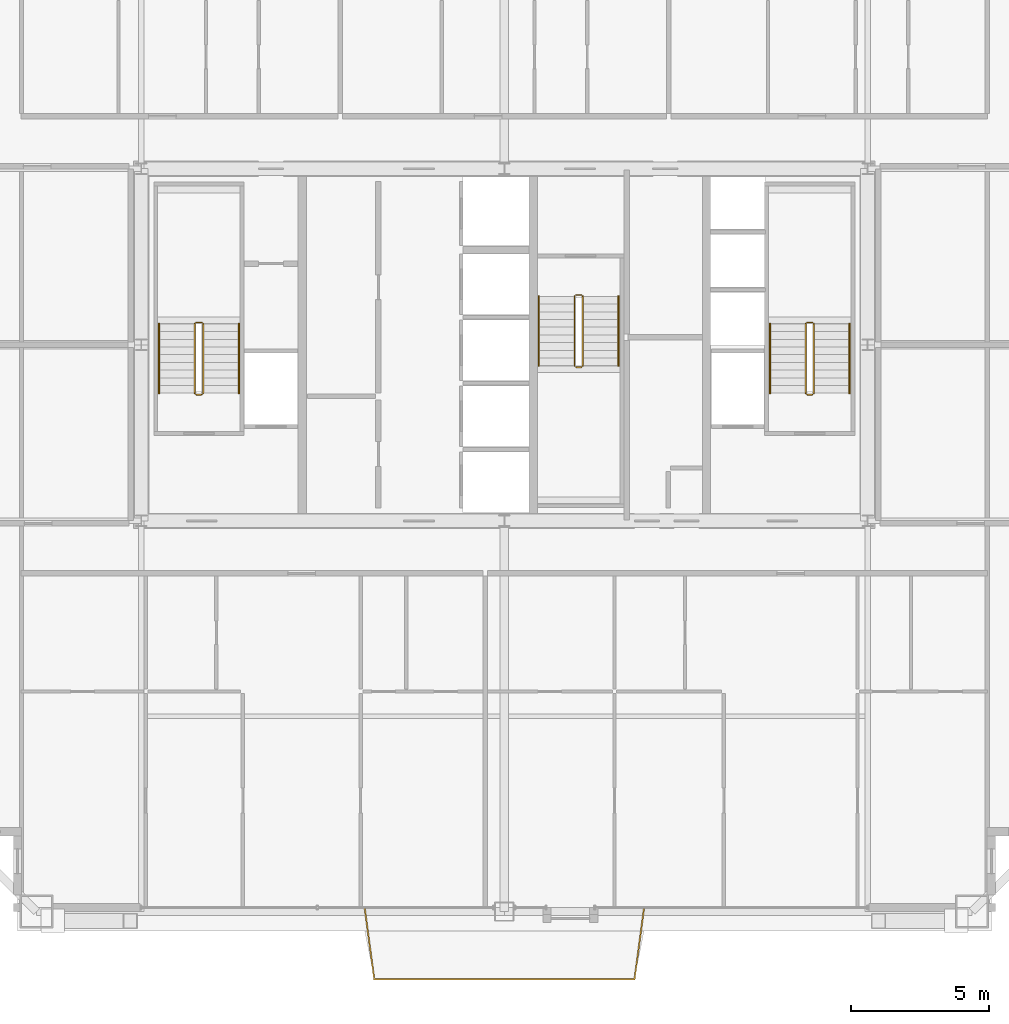
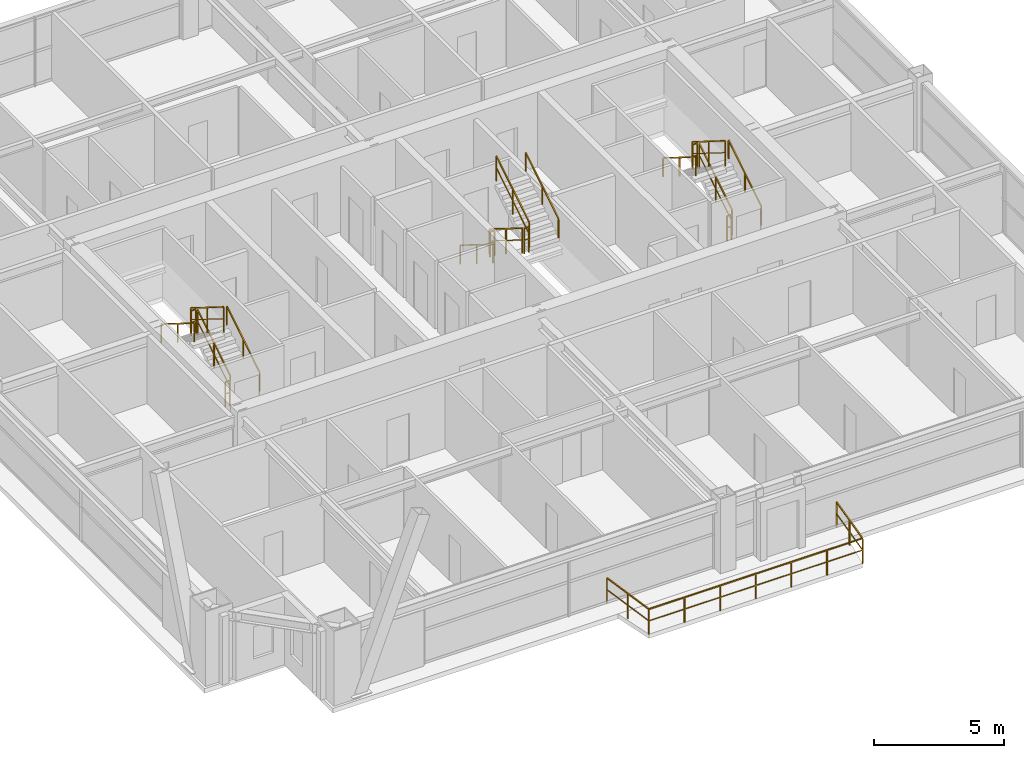
# One storey, part 36 of 36: 19 railings.
"""IFC4 building model written with IfcOpenShell, lengths in metres."""

from ifc_helpers import new_model, si_unit, direction, frame, origin, origin_2d, place, context, subcontext, project, spatial, rectangle, extrude, source, transform, mapped, material, layer, layer_set, type_object, element, save


model = new_model("IFC4")

# Units and contexts
model_context = context("Model", 3, precision=1e-05, world=origin(), true_north=direction((0.0, 1.0)))
body_context = subcontext(model_context, "Body", "Model", "MODEL_VIEW")
ifc_project = project(units=[si_unit("LENGTHUNIT", "METRE"), si_unit("AREAUNIT", "SQUARE_METRE"), si_unit("VOLUMEUNIT", "CUBIC_METRE"), si_unit("PLANEANGLEUNIT", "RADIAN"), si_unit("MASSUNIT", "GRAM", prefix="KILO"), si_unit("THERMODYNAMICTEMPERATUREUNIT", "KELVIN"), si_unit("POWERUNIT", "WATT")], contexts=[model_context])

# Site, building, storey
site_placement = place(None, origin())
site = spatial("IfcSite", under=ifc_project, at=site_placement, CompositionType="ELEMENT")
building_placement = place(site_placement, origin())
building = spatial("IfcBuilding", under=site, at=building_placement, Name="Yuzanri Waterfront Tower", CompositionType="ELEMENT")
storey_placement = place(building_placement, frame((0.0, 0.0, 255.60009765625)))
storey = spatial("IfcBuildingStorey", under=building, at=storey_placement, Name="L68", CompositionType="ELEMENT", Elevation=255.60009765625)

# Railings
ifc_material_1 = material(Name="Anodized Architectural Bronze", Category="metal")
ifc_layer_1 = layer(ifc_material_1, 0.080078125)
ifc_layer_set_1 = layer_set([ifc_layer_1], Name="Anodized Architectural Bronze")
railing_type_1 = type_object("IfcRailingType", Name="Laminated Glass and Bronze Balcony Guardrail 1200", PredefinedType="BALUSTRADE", material=ifc_layer_set_1)
shared_shape_1 = source(origin(), body_context, "Body", "SweptSolid", [
    extrude(rectangle(XDim=0.050048828125, YDim=0.050048828125, at=origin_2d()), frame((0.0, 0.0, 1.1748046875), z_axis=(0.132794534695, -0.991143587759, 0.0), x_axis=(0.991143587759, 0.132794534695, 0.0)), (0.0, 0.0, 1.0), 2.636474609375),
    extrude(rectangle(XDim=0.035888671875, YDim=0.030029296875, at=origin_2d()), frame((0.0, 0.0, 0.6240234375), z_axis=(0.132794534695, -0.991143587759, 0.0), x_axis=(0.991143587759, 0.132794534695, 0.0)), (0.0, 0.0, 1.0), 2.636474609375),
    extrude(rectangle(XDim=0.050048828125, YDim=0.050048828125, at=origin_2d()), frame((0.35009765625, -2.613037109375, 1.1748046875), z_axis=(1.0, 0.0, 0.0), x_axis=(0.0, 1.0, 0.0)), (0.0, 0.0, 1.0), 9.458984375),
    extrude(rectangle(XDim=0.035888671875, YDim=0.030029296875, at=origin_2d()), frame((0.35009765625, -2.613037109375, 0.6240234375), z_axis=(1.0, 0.0, 0.0), x_axis=(0.0, 1.0, 0.0)), (0.0, 0.0, 1.0), 9.458984375),
    extrude(rectangle(XDim=0.050048828125, YDim=0.050048828125, at=origin_2d()), frame((9.80908203125, -2.613037109375, 1.1748046875), z_axis=(0.132794534695, 0.991143587759, 0.0), x_axis=(-0.991143587759, 0.132794534695, 0.0)), (0.0, 0.0, 1.0), 2.636474609375),
    extrude(rectangle(XDim=0.035888671875, YDim=0.030029296875, at=origin_2d()), frame((9.80908203125, -2.613037109375, 0.6240234375), z_axis=(0.132794534695, 0.991143587759, 0.0), x_axis=(-0.991143587759, 0.132794534695, 0.0)), (0.0, 0.0, 1.0), 2.636474609375),
    extrude(rectangle(XDim=0.0458984375, YDim=0.0458984375, at=origin_2d()), origin(), (0.0, 0.0, 1.0), 1.14990234375),
    extrude(rectangle(XDim=0.0458984375, YDim=0.0458984375, at=origin_2d()), frame((0.175048828125, -1.306640625, 0.0)), (0.0, 0.0, 1.0), 1.14990234375),
    extrude(rectangle(XDim=0.0458984375, YDim=0.0458984375, at=origin_2d()), frame((0.35009765625, -2.613037109375, 0.0)), (0.0, 0.0, 1.0), 1.14990234375),
    extrude(rectangle(XDim=0.0458984375, YDim=0.0458984375, at=origin_2d()), frame((1.926513671875, -2.613037109375, 0.0)), (0.0, 0.0, 1.0), 1.14990234375),
    extrude(rectangle(XDim=0.0458984375, YDim=0.0458984375, at=origin_2d()), frame((3.503173828125, -2.613037109375, 0.0)), (0.0, 0.0, 1.0), 1.14990234375),
    extrude(rectangle(XDim=0.0458984375, YDim=0.0458984375, at=origin_2d()), frame((5.07958984375, -2.613037109375, 0.0)), (0.0, 0.0, 1.0), 1.14990234375),
    extrude(rectangle(XDim=0.0458984375, YDim=0.0458984375, at=origin_2d()), frame((6.656005859375, -2.613037109375, 0.0)), (0.0, 0.0, 1.0), 1.14990234375),
    extrude(rectangle(XDim=0.0458984375, YDim=0.0458984375, at=origin_2d()), frame((8.232666015625, -2.613037109375, 0.0)), (0.0, 0.0, 1.0), 1.14990234375),
    extrude(rectangle(XDim=0.0458984375, YDim=0.0458984375, at=origin_2d()), frame((9.80908203125, -2.613037109375, 0.0)), (0.0, 0.0, 1.0), 1.14990234375),
    extrude(rectangle(XDim=0.0458984375, YDim=0.0458984375, at=origin_2d()), frame((9.984130859375, -1.306640625, 0.0)), (0.0, 0.0, 1.0), 1.14990234375),
    extrude(rectangle(XDim=0.0458984375, YDim=0.0458984375, at=origin_2d()), frame((10.1591796875, 0.0, 0.0)), (0.0, 0.0, 1.0), 1.14990234375),
])
railing_placement = place(storey_placement, frame((31.92041015625, 5.35009765625, 0.0)))
element("IfcRailing", 1, at=railing_placement, inside=storey, type_object=railing_type_1, Name="L68 S Engawa Terrace Guardrail", PredefinedType="BALUSTRADE", context=body_context, shape_type="MappedRepresentation", body=[
    mapped(shared_shape_1, transform((0.0, 0.0, 0.0), scale=1.0)),
])
ifc_material_2 = material(Name="Painted Galvanized Fire Steel", Category="steel")
ifc_layer_2 = layer(ifc_material_2, 0.06005859375)
ifc_layer_set_2 = layer_set([ifc_layer_2], Name="Painted Galvanized Fire Steel")
railing_type_2 = type_object("IfcRailingType", Name="Painted Steel Stairwell Guardrail 1120", PredefinedType="GUARDRAIL", material=ifc_layer_set_2)
shared_shape_2 = source(origin(), body_context, "Body", "SweptSolid", [
    extrude(rectangle(XDim=0.050048828125, YDim=0.050048828125, at=origin_2d()), frame((0.0, 0.0, 1.1748046875), z_axis=(-1.0, 0.0, 0.0), x_axis=(0.0, -1.0, 0.0)), (0.0, 0.0, 1.0), 0.199951171875),
    extrude(rectangle(XDim=0.035888671875, YDim=0.030029296875, at=origin_2d()), frame((0.0, 0.0, 0.6240234375), z_axis=(-1.0, 0.0, 0.0), x_axis=(0.0, -1.0, 0.0)), (0.0, 0.0, 1.0), 0.199951171875),
    extrude(rectangle(XDim=0.0458984375, YDim=0.0458984375, at=origin_2d()), origin(), (0.0, 0.0, 1.0), 1.14990234375),
    extrude(rectangle(XDim=0.0458984375, YDim=0.0458984375, at=origin_2d()), frame((-0.199951171875, 0.0, 0.0)), (0.0, 0.0, 1.0), 1.14990234375),
])
for number, where, name in (
    (2, (26.0, 26.610107421875, 1.75), "L68 ST-01 stair guard 2"),
    (3, (26.0, 23.989990234375, 0.0), "L68 ST-01 stair guard 4"),
    (4, (48.199951171875, 26.610107421875, 1.75), "L68 ST-02 stair guard 2"),
    (5, (48.199951171875, 23.989990234375, 0.0), "L68 ST-02 stair guard 4"),
):
    element("IfcRailing", number, at=place(storey_placement, frame(where)), inside=storey, type_object=railing_type_2, Name=name, PredefinedType="GUARDRAIL", context=body_context, shape_type="MappedRepresentation", body=[
        mapped(shared_shape_2, transform((0.0, 0.0, 0.0), scale=1.0)),
    ])
shared_shape_3 = source(origin(), body_context, "Body", "SweptSolid", [
    extrude(rectangle(XDim=0.050048828125, YDim=0.050048828125, at=origin_2d()), frame((0.0, 0.0, 1.1748046875), z_axis=(0.0, 0.847970611238, 0.530043245855), x_axis=(-1.0, 0.0, 0.0)), (0.0, 0.0, 1.0), 2.971923828125),
    extrude(rectangle(XDim=0.035888671875, YDim=0.030029296875, at=origin_2d()), frame((0.0, 0.0, 0.6240234375), z_axis=(0.0, 0.847970611238, 0.530043245855), x_axis=(-1.0, 0.0, 0.0)), (0.0, 0.0, 1.0), 2.971923828125),
    extrude(rectangle(XDim=0.0458984375, YDim=0.0458984375, at=origin_2d()), origin(), (0.0, 0.0, 1.0), 1.14990234375),
    extrude(rectangle(XDim=0.0458984375, YDim=0.0458984375, at=origin_2d()), frame((0.0, 1.260009765625, 0.78759765625)), (0.0, 0.0, 1.0), 1.14990234375),
    extrude(rectangle(XDim=0.0458984375, YDim=0.0458984375, at=origin_2d()), frame((0.0, 2.52001953125, 1.5751953125)), (0.0, 0.0, 1.0), 1.14990234375),
])
for number, where, name in (
    (6, (26.050048828125, 24.0400390625, 0.1748046875), "L68 ST-01 stair guard 1"),
    (7, (48.25, 24.0400390625, 0.1748046875), "L68 ST-02 stair guard 1"),
    (8, (39.85009765625, 25.0400390625, 1.9248046875), "L68 ST-03 stair guard 3"),
):
    element("IfcRailing", number, at=place(storey_placement, frame(where)), inside=storey, type_object=railing_type_2, Name=name, PredefinedType="GUARDRAIL", context=body_context, shape_type="MappedRepresentation", body=[
        mapped(shared_shape_3, transform((0.0, 0.0, 0.0), scale=1.0)),
    ])
shared_shape_4 = source(origin(), body_context, "Body", "SweptSolid", [
    extrude(rectangle(XDim=0.050048828125, YDim=0.050048828125, at=origin_2d()), frame((0.0, 0.0, 1.1748046875), z_axis=(0.0, -0.847970611238, 0.530043245855), x_axis=(1.0, 0.0, 0.0)), (0.0, 0.0, 1.0), 2.971923828125),
    extrude(rectangle(XDim=0.035888671875, YDim=0.030029296875, at=origin_2d()), frame((0.0, 0.0, 0.6240234375), z_axis=(0.0, -0.847970611238, 0.530043245855), x_axis=(1.0, 0.0, 0.0)), (0.0, 0.0, 1.0), 2.971923828125),
    extrude(rectangle(XDim=0.0458984375, YDim=0.0458984375, at=origin_2d()), origin(), (0.0, 0.0, 1.0), 1.14990234375),
    extrude(rectangle(XDim=0.0458984375, YDim=0.0458984375, at=origin_2d()), frame((0.0, -1.260009765625, 0.78759765625)), (0.0, 0.0, 1.0), 1.14990234375),
    extrude(rectangle(XDim=0.0458984375, YDim=0.0458984375, at=origin_2d()), frame((0.0, -2.52001953125, 1.5751953125)), (0.0, 0.0, 1.0), 1.14990234375),
])
for number, where, name in (
    (9, (25.75, 26.56005859375, 1.9248046875), "L68 ST-01 stair guard 3"),
    (10, (47.949951171875, 26.56005859375, 1.9248046875), "L68 ST-02 stair guard 3"),
    (11, (39.550048828125, 27.56005859375, 0.1748046875), "L68 ST-03 stair guard 1"),
):
    element("IfcRailing", number, at=place(storey_placement, frame(where)), inside=storey, type_object=railing_type_2, Name=name, PredefinedType="GUARDRAIL", context=body_context, shape_type="MappedRepresentation", body=[
        mapped(shared_shape_4, transform((0.0, 0.0, 0.0), scale=1.0)),
    ])
ifc_material_3 = material(Name="Anodized Architectural Bronze", Category="metal")
ifc_layer_3 = layer(ifc_material_3, 0.050048828125)
ifc_layer_set_3 = layer_set([ifc_layer_3], Name="Anodized Architectural Bronze")
railing_type_3 = type_object("IfcRailingType", Name="Brushed Bronze Stair Pitch Handrail 920", PredefinedType="HANDRAIL", material=ifc_layer_set_3)
shared_shape_5 = source(origin(), body_context, "Body", "SweptSolid", [
    extrude(rectangle(XDim=0.050048828125, YDim=0.050048828125, at=origin_2d()), frame((0.0, 0.0, 0.875), z_axis=(0.0, 0.847970611238, 0.530043245855), x_axis=(-1.0, 0.0, 0.0)), (0.0, 0.0, 1.0), 2.971923828125),
    extrude(rectangle(XDim=0.0458984375, YDim=0.0458984375, at=origin_2d()), origin(), (0.0, 0.0, 1.0), 0.849853515625),
    extrude(rectangle(XDim=0.0458984375, YDim=0.0458984375, at=origin_2d()), frame((0.0, 1.260009765625, 0.78759765625)), (0.0, 0.0, 1.0), 0.849853515625),
    extrude(rectangle(XDim=0.0458984375, YDim=0.0458984375, at=origin_2d()), frame((0.0, 2.52001953125, 1.5751953125)), (0.0, 0.0, 1.0), 0.849853515625),
])
for number, where, name in (
    (12, (27.35009765625, 24.0400390625, 0.1748046875), "L68 ST-01 stair handrail 1"),
    (13, (49.550048828125, 24.0400390625, 0.1748046875), "L68 ST-02 stair handrail 1"),
    (14, (41.14990234375, 25.0400390625, 1.9248046875), "L68 ST-03 stair handrail 2"),
):
    element("IfcRailing", number, at=place(storey_placement, frame(where)), inside=storey, type_object=railing_type_3, Name=name, PredefinedType="HANDRAIL", context=body_context, shape_type="MappedRepresentation", body=[
        mapped(shared_shape_5, transform((0.0, 0.0, 0.0), scale=1.0)),
    ])
shared_shape_6 = source(origin(), body_context, "Body", "SweptSolid", [
    extrude(rectangle(XDim=0.050048828125, YDim=0.050048828125, at=origin_2d()), frame((0.0, 0.0, 0.875), z_axis=(0.0, -0.847970611238, 0.530043245855), x_axis=(1.0, 0.0, 0.0)), (0.0, 0.0, 1.0), 2.971923828125),
    extrude(rectangle(XDim=0.0458984375, YDim=0.0458984375, at=origin_2d()), origin(), (0.0, 0.0, 1.0), 0.849853515625),
    extrude(rectangle(XDim=0.0458984375, YDim=0.0458984375, at=origin_2d()), frame((0.0, -1.260009765625, 0.78759765625)), (0.0, 0.0, 1.0), 0.849853515625),
    extrude(rectangle(XDim=0.0458984375, YDim=0.0458984375, at=origin_2d()), frame((0.0, -2.52001953125, 1.5751953125)), (0.0, 0.0, 1.0), 0.849853515625),
])
for number, where, name in (
    (15, (24.449951171875, 26.56005859375, 1.9248046875), "L68 ST-01 stair handrail 2"),
    (16, (46.64990234375, 26.56005859375, 1.9248046875), "L68 ST-02 stair handrail 2"),
    (17, (38.25, 27.56005859375, 0.1748046875), "L68 ST-03 stair handrail 1"),
):
    element("IfcRailing", number, at=place(storey_placement, frame(where)), inside=storey, type_object=railing_type_3, Name=name, PredefinedType="HANDRAIL", context=body_context, shape_type="MappedRepresentation", body=[
        mapped(shared_shape_6, transform((0.0, 0.0, 0.0), scale=1.0)),
    ])
shared_shape_7 = source(origin(), body_context, "Body", "SweptSolid", [
    extrude(rectangle(XDim=0.050048828125, YDim=0.050048828125, at=origin_2d()), frame((0.0, 0.0, 1.1748046875), z_axis=(1.0, 0.0, 0.0), x_axis=(0.0, 1.0, 0.0)), (0.0, 0.0, 1.0), 0.199951171875),
    extrude(rectangle(XDim=0.035888671875, YDim=0.030029296875, at=origin_2d()), frame((0.0, 0.0, 0.6240234375), z_axis=(1.0, 0.0, 0.0), x_axis=(0.0, 1.0, 0.0)), (0.0, 0.0, 1.0), 0.199951171875),
    extrude(rectangle(XDim=0.0458984375, YDim=0.0458984375, at=origin_2d()), origin(), (0.0, 0.0, 1.0), 1.14990234375),
    extrude(rectangle(XDim=0.0458984375, YDim=0.0458984375, at=origin_2d()), frame((0.199951171875, 0.0, 0.0)), (0.0, 0.0, 1.0), 1.14990234375),
])
for number, where, name in (
    (18, (39.60009765625, 24.989990234375, 1.75), "L68 ST-03 stair guard 2"),
    (19, (39.60009765625, 27.610107421875, 0.0), "L68 ST-03 stair guard 4"),
):
    element("IfcRailing", number, at=place(storey_placement, frame(where)), inside=storey, type_object=railing_type_2, Name=name, PredefinedType="GUARDRAIL", context=body_context, shape_type="MappedRepresentation", body=[
        mapped(shared_shape_7, transform((0.0, 0.0, 0.0), scale=1.0)),
    ])

save(model, "model.ifc")
